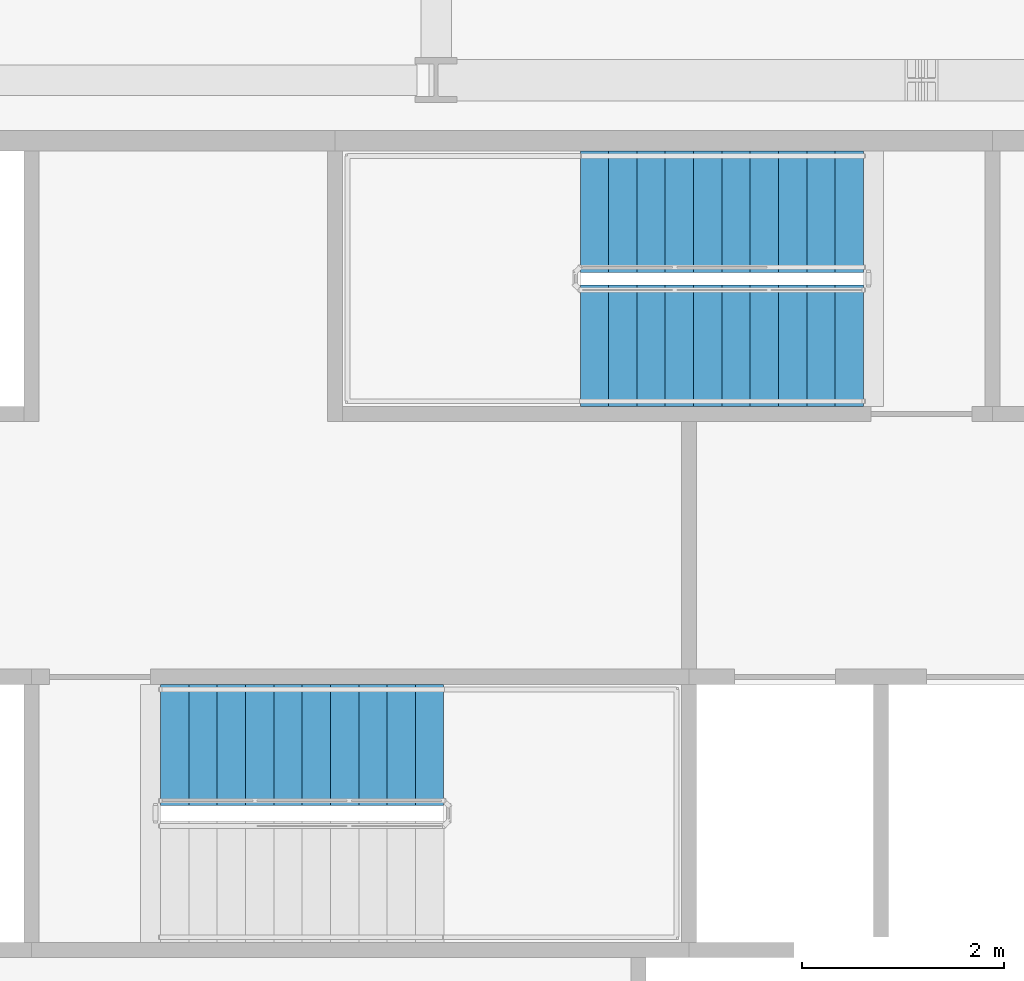
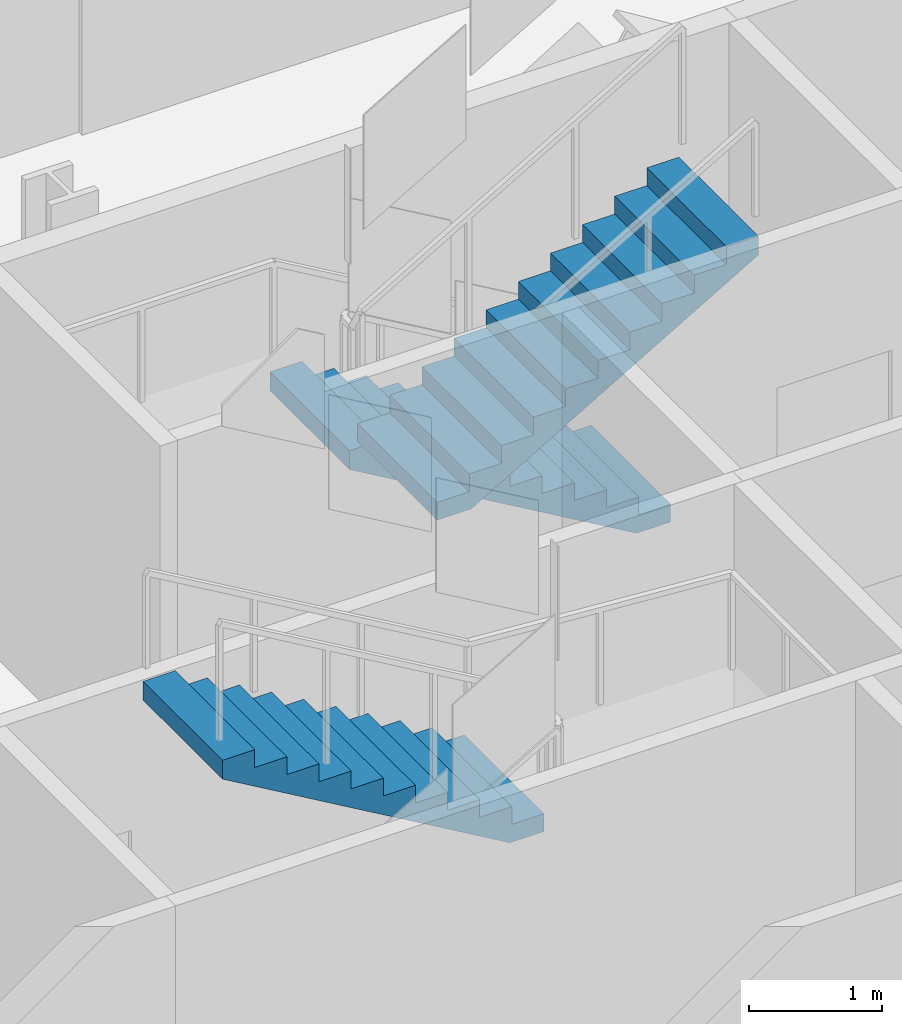
# One storey, part 13 of 19: 3 stair flights, 2 elements without a shape of their own.
"""IFC4 building model written with IfcOpenShell, lengths in metres."""

from ifc_helpers import new_model, si_unit, direction, frame, origin, place, context, subcontext, project, spatial, polyline, outline, extrude, material, type_object, element, aggregate, save


model = new_model("IFC4")

# Units and contexts
model_context = context("Model", 3, precision=1e-05, world=origin(), true_north=direction((0.0, 1.0)))
body_context = subcontext(model_context, "Body", "Model", "MODEL_VIEW")
ifc_project = project(units=[si_unit("LENGTHUNIT", "METRE"), si_unit("AREAUNIT", "SQUARE_METRE"), si_unit("VOLUMEUNIT", "CUBIC_METRE"), si_unit("PLANEANGLEUNIT", "RADIAN"), si_unit("MASSUNIT", "GRAM", prefix="KILO")], contexts=[model_context])

# Site, building, storey
site_placement = place(None, origin())
site = spatial("IfcSite", under=ifc_project, at=site_placement, CompositionType="ELEMENT")
building_placement = place(site_placement, origin())
building = spatial("IfcBuilding", under=site, at=building_placement, Name="Cairn Pilgrim Tower", CompositionType="ELEMENT")
storey_placement = place(building_placement, frame((0.0, 0.0, 186.60009765625)))
storey = spatial("IfcBuildingStorey", under=building, at=storey_placement, Name="L47", CompositionType="ELEMENT", Elevation=186.60009765625)

# Stair, stair flight
ifc_material = material(Name="Concrete C32/40", Category="concrete")
stair_type = type_object("IfcStairType", Name="EXIT STAIR 1200", PredefinedType="HALF_TURN_STAIR", material=ifc_material)
stair_1_placement = place(storey_placement, origin())
stair_1 = element("IfcStair", 1, at=stair_1_placement, inside=storey, type_object=stair_type, Name="L47 Exit Stair B", PredefinedType="HALF_TURN_STAIR")
stair_flight_type = type_object("IfcStairFlightType", Name="STAIR FLIGHT 1200", PredefinedType="STRAIGHT", material=ifc_material)
stair_flight_1_placement = place(storey_placement, frame((7.27490234375, 4.22509765625, 1.7998046875), z_axis=(0.0, 0.0, 1.0), x_axis=(-1.0, 0.0, 0.0)))
stair_flight_1 = element("IfcStairFlight", 2, at=stair_flight_1_placement, type_object=stair_flight_type, Name="ST-B flight 2", NumberOfRisers=11, NumberOfTreads=10, PredefinedType="STRAIGHT", RiserHeight=0.163636364, TreadLength=0.28, context=body_context, shape_type="SweptSolid", body=[
    extrude(outline(polyline([(0.0, 0.0), (0.0, 0.16357421875), (0.280029296875, 0.16357421875), (0.280029296875, 0.327392578125), (0.56005859375, 0.327392578125), (0.56005859375, 0.490966796875), (0.840087890625, 0.490966796875), (0.840087890625, 0.654541015625), (1.1201171875, 0.654541015625), (1.1201171875, 0.818115234375), (1.39990234375, 0.818115234375), (1.39990234375, 0.98193359375), (1.679931640625, 0.98193359375), (1.679931640625, 1.1455078125), (1.9599609375, 1.1455078125), (1.9599609375, 1.30908203125), (2.239990234375, 1.30908203125), (2.239990234375, 1.47265625), (2.52001953125, 1.47265625), (2.52001953125, 1.636474609375), (2.800048828125, 1.636474609375), (2.800048828125, 1.800048828125), (2.800048828125, 1.462646484375), (0.297119140625, 0.0), (0.0, 0.0)])), frame((0.0, 0.60009765625, 0.0), z_axis=(0.0, -1.0, 0.0), x_axis=(1.0, 0.0, 0.0)), (0.0, 0.0, 1.0), 1.199951171875),
])
aggregate(stair_1, [stair_flight_1])

# Stair, stair flights
stair_2_placement = place(storey_placement, origin())
stair_2 = element("IfcStair", 3, at=stair_2_placement, inside=storey, type_object=stair_type, Name="L47 Exit Stair C", PredefinedType="HALF_TURN_STAIR")
stair_flight_2_placement = place(storey_placement, frame((11.425048828125, 9.5, 0.0), z_axis=(0.0, 0.0, 1.0), x_axis=(-1.0, 0.0, 0.0)))
stair_flight_2 = element("IfcStairFlight", 4, at=stair_flight_2_placement, type_object=stair_flight_type, Name="ST-C flight 1", NumberOfRisers=11, NumberOfTreads=10, PredefinedType="STRAIGHT", RiserHeight=0.163636364, TreadLength=0.28, context=body_context, shape_type="SweptSolid", body=[
    extrude(outline(polyline([(0.0, 0.0), (0.0, 0.16357421875), (0.280029296875, 0.16357421875), (0.280029296875, 0.327392578125), (0.56005859375, 0.327392578125), (0.56005859375, 0.490966796875), (0.840087890625, 0.490966796875), (0.840087890625, 0.654541015625), (1.1201171875, 0.654541015625), (1.1201171875, 0.818115234375), (1.39990234375, 0.818115234375), (1.39990234375, 0.98193359375), (1.679931640625, 0.98193359375), (1.679931640625, 1.1455078125), (1.9599609375, 1.1455078125), (1.9599609375, 1.30908203125), (2.239990234375, 1.30908203125), (2.239990234375, 1.47265625), (2.52001953125, 1.47265625), (2.52001953125, 1.636474609375), (2.800048828125, 1.636474609375), (2.800048828125, 1.800048828125), (2.800048828125, 1.462646484375), (0.297119140625, 0.0), (0.0, 0.0)])), frame((0.0, 0.60009765625, 0.0), z_axis=(0.0, -1.0, 0.0), x_axis=(1.0, 0.0, 0.0)), (0.0, 0.0, 1.0), 1.199951171875),
])
stair_flight_3_placement = place(storey_placement, frame((8.625, 8.175048828125, 1.7998046875), z_axis=(0.0, 0.0, 1.0), x_axis=(1.0, 0.0, 0.0)))
stair_flight_3 = element("IfcStairFlight", 5, at=stair_flight_3_placement, type_object=stair_flight_type, Name="ST-C flight 2", NumberOfRisers=11, NumberOfTreads=10, PredefinedType="STRAIGHT", RiserHeight=0.163636364, TreadLength=0.28, context=body_context, shape_type="SweptSolid", body=[
    extrude(outline(polyline([(0.0, 0.0), (0.0, 0.16357421875), (0.280029296875, 0.16357421875), (0.280029296875, 0.327392578125), (0.56005859375, 0.327392578125), (0.56005859375, 0.490966796875), (0.840087890625, 0.490966796875), (0.840087890625, 0.654541015625), (1.1201171875, 0.654541015625), (1.1201171875, 0.818115234375), (1.39990234375, 0.818115234375), (1.39990234375, 0.98193359375), (1.679931640625, 0.98193359375), (1.679931640625, 1.1455078125), (1.9599609375, 1.1455078125), (1.9599609375, 1.30908203125), (2.239990234375, 1.30908203125), (2.239990234375, 1.47265625), (2.52001953125, 1.47265625), (2.52001953125, 1.636474609375), (2.800048828125, 1.636474609375), (2.800048828125, 1.800048828125), (2.800048828125, 1.462646484375), (0.297119140625, 0.0), (0.0, 0.0)])), frame((0.0, 0.60009765625, 0.0), z_axis=(0.0, -1.0, 0.0), x_axis=(1.0, 0.0, 0.0)), (0.0, 0.0, 1.0), 1.199951171875),
])
aggregate(stair_2, [stair_flight_2, stair_flight_3])

save(model, "model.ifc")
